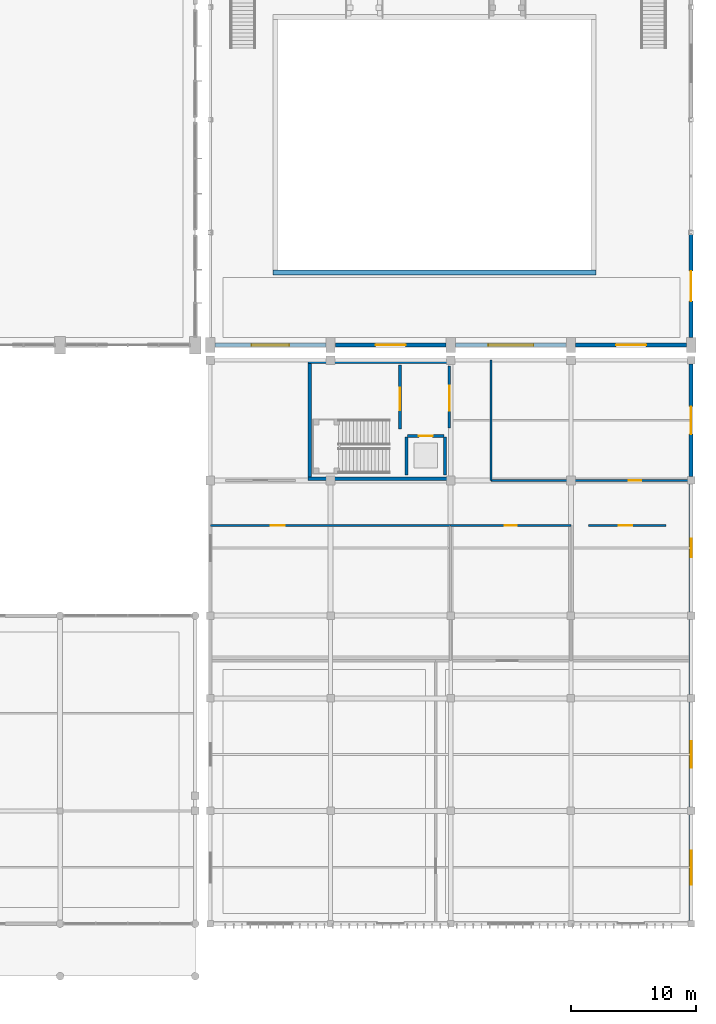
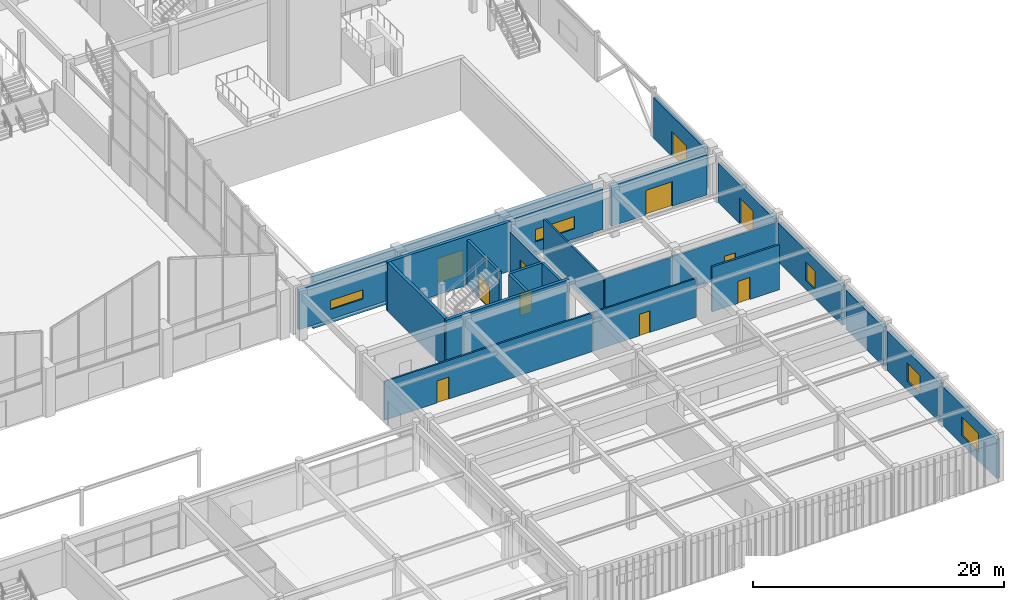
# One storey, part 58 of 82: 24 walls, 11 doors, 5 windows, 16 openings.
"""IFC4 building model written with IfcOpenShell, lengths in metres."""

from ifc_helpers import new_model, si_unit, direction, frame, frame_2d, origin, place, context, subcontext, project, spatial, rectangle, extrude, material, layer, layer_set, type_object, element, fill, save


model = new_model("IFC4")

# Units and contexts
model_context = context("Model", 3, precision=1e-05, world=origin(), true_north=direction((0.0, 1.0)))
body_context = subcontext(model_context, "Body", "Model", "MODEL_VIEW")
ifc_project = project(units=[si_unit("LENGTHUNIT", "METRE"), si_unit("AREAUNIT", "SQUARE_METRE"), si_unit("VOLUMEUNIT", "CUBIC_METRE"), si_unit("PLANEANGLEUNIT", "RADIAN"), si_unit("MASSUNIT", "GRAM", prefix="KILO")], contexts=[model_context])

# Site, building, storey
site_placement = place(None, origin())
site = spatial("IfcSite", under=ifc_project, at=site_placement, CompositionType="ELEMENT")
building_placement = place(site_placement, origin())
building = spatial("IfcBuilding", under=site, at=building_placement, Name="Suirenkawa Promenade Aquatics Centre", CompositionType="ELEMENT")
storey_placement = place(building_placement, origin())
storey = spatial("IfcBuildingStorey", under=building, at=storey_placement, Name="L00", CompositionType="ELEMENT", Elevation=0.0)

# Walls
ifc_material_1 = material(Name="Concrete M40", Category="concrete")
ifc_layer_1 = layer(ifc_material_1, 0.280029296875, Name="Concrete M40", Category="concrete")
ifc_layer_set_1 = layer_set([ifc_layer_1], Name="Concrete M40")
wall_type_1 = type_object("IfcWallType", Name="WT-CORE-280", PredefinedType="SHEAR", material=ifc_layer_set_1)
for number, where, z_axis, x_axis, name in (
    (1, (163.800048828125, 39.739990234375, 0.0), (0.0, 0.0, 1.0), (1.0, 0.0, 0.0), "C6 south core wall WL-CORE-02 W-0155"),
    (2, (163.800048828125, 49.06005859375, 0.0), (0.0, 0.0, 1.0), (1.0, 0.0, 0.0), "C6 north core wall WL-CORE-02 W-0156"),
):
    element("IfcWall", number, at=place(storey_placement, frame(where, z_axis=z_axis, x_axis=x_axis)), inside=storey, type_object=wall_type_1, Name=name, PredefinedType="SHEAR", context=body_context, shape_type="SweptSolid", body=[
        extrude(rectangle(XDim=11.39990234375, YDim=0.280029296875, at=frame_2d((5.699951171875, 0.0))), origin(), (0.0, 0.0, 1.0), 4.800048828125),
    ])
wall_1_placement = place(storey_placement, frame((163.93994140625, 39.8798828125, 0.0), z_axis=(0.0, 0.0, 1.0), x_axis=(0.0, 1.0, 0.0)))
element("IfcWall", 3, at=wall_1_placement, inside=storey, type_object=wall_type_1, Name="C6 west core wall WL-CORE-02 W-0157", PredefinedType="SHEAR", context=body_context, shape_type="SweptSolid", body=[
    extrude(rectangle(XDim=9.0400390625, YDim=0.280029296875, at=frame_2d((4.52001953125, 0.0))), origin(), (0.0, 0.0, 1.0), 4.800048828125),
])

# Wall, opening, window
ifc_layer_2 = layer(ifc_material_1, 0.31005859375, Name="Concrete M40", Category="concrete")
ifc_layer_set_2 = layer_set([ifc_layer_2], Name="Concrete M40")
wall_type_2 = type_object("IfcWallType", Name="WT-EXT-310", PredefinedType="SOLIDWALL", material=ifc_layer_set_2)
wall_2_placement = place(storey_placement, frame((165.219970703125, 50.39990234375, 0.0), z_axis=(0.0, 0.0, 1.0), x_axis=(-1.0, 0.0, 0.0)))
wall_2 = element("IfcWall", 4, at=wall_2_placement, inside=storey, type_object=wall_type_2, Name="Exterior wall WL-EXT-02 W-5025", PredefinedType="SOLIDWALL", context=body_context, shape_type="SweptSolid", body=[
    extrude(rectangle(XDim=8.840087890625, YDim=0.31005859375, at=frame_2d((4.419921875, 0.0))), origin(), (0.0, 0.0, 1.0), 3.93505859375),
])
opening_1_placement = place(wall_2_placement, frame((2.919921875, 0.0, 0.949951171875)))
opening_1 = element("IfcOpeningElement", 5, at=opening_1_placement, cuts=wall_2, Name="Opening WN-02", PredefinedType="OPENING", context=body_context, shape_type="SweptSolid", body=[
    extrude(rectangle(XDim=3.0, YDim=0.89990234375, at=frame_2d((1.5, 0.449951171875))), frame((0.0, 0.1650390625, 0.0), z_axis=(0.0, -1.0, 0.0), x_axis=(1.0, 0.0, 0.0)), (0.0, 0.0, 1.0), 0.330078125),
])
ifc_material_2 = material(Name="Low-E thermally broken double glazing", Category="glass")
window_type_1 = type_object("IfcWindowType", Name="WNT-RIB-3000x900", PartitioningType="SINGLE_PANEL", PredefinedType="WINDOW", material=ifc_material_2)
window_1_placement = place(opening_1_placement, origin())
window_1 = element("IfcWindow", 6, at=window_1_placement, inside=storey, type_object=window_type_1, Name="Window WN-02 WN-0002", OverallHeight=0.89990234375, OverallWidth=3.0, PartitioningType="SINGLE_PANEL", PredefinedType="WINDOW", context=body_context, shape_type="SweptSolid", body=[
    extrude(rectangle(XDim=3.0, YDim=0.89990234375, at=frame_2d((1.5, 0.449951171875))), frame((0.0, 0.030029296875, 0.0), z_axis=(0.0, -1.0, 0.0), x_axis=(1.0, 0.0, 0.0)), (0.0, 0.0, 1.0), 0.06005859375),
])
fill(opening_1, window_1)

# Wall, opening, door
wall_3_placement = place(storey_placement, frame((174.820068359375, 50.39990234375, 0.0), z_axis=(0.0, 0.0, 1.0), x_axis=(-1.0, 0.0, 0.0)))
wall_3 = element("IfcWall", 7, at=wall_3_placement, inside=storey, type_object=wall_type_2, Name="Exterior wall WL-EXT-02 W-5028", PredefinedType="SOLIDWALL", context=body_context, shape_type="SweptSolid", body=[
    extrude(rectangle(XDim=8.840087890625, YDim=0.31005859375, at=frame_2d((4.419921875, 0.0))), origin(), (0.0, 0.0, 1.0), 3.93505859375),
])
opening_2_placement = place(wall_3_placement, frame((3.219970703125, 0.0, 0.0)))
opening_2 = element("IfcOpeningElement", 8, at=opening_2_placement, cuts=wall_3, Name="Opening ED-04", PredefinedType="OPENING", context=body_context, shape_type="SweptSolid", body=[
    extrude(rectangle(XDim=2.39990234375, YDim=2.39990234375, at=frame_2d((1.199951171875, 1.199951171875))), frame((0.0, 0.1650390625, 0.0), z_axis=(0.0, -1.0, 0.0), x_axis=(1.0, 0.0, 0.0)), (0.0, 0.0, 1.0), 0.330078125),
])
ifc_material_3 = material(Name="Anodised aluminium 6063-T6", Category="aluminium")
door_type_1 = type_object("IfcDoorType", Name="DT-EXT-EXIT-2400x2400", OperationType="DOUBLE_DOOR_SINGLE_SWING", PredefinedType="DOOR", material=ifc_material_3)
door_1_placement = place(opening_2_placement, origin())
door_1 = element("IfcDoor", 9, at=door_1_placement, inside=storey, type_object=door_type_1, Name="Exterior door ED-04 DR-EXT-019", OperationType="DOUBLE_DOOR_SINGLE_SWING", OverallHeight=2.39990234375, OverallWidth=2.39990234375, PredefinedType="DOOR", context=body_context, shape_type="SweptSolid", body=[
    extrude(rectangle(XDim=2.39990234375, YDim=2.39990234375, at=frame_2d((1.199951171875, 1.199951171875))), frame((0.0, 0.02490234375, 0.0), z_axis=(0.0, -1.0, 0.0), x_axis=(1.0, 0.0, 0.0)), (0.0, 0.0, 1.0), 0.050048828125),
])
fill(opening_2, door_1)

# Wall, opening, window
wall_4_placement = place(storey_placement, frame((184.419921875, 50.39990234375, 0.0), z_axis=(0.0, 0.0, 1.0), x_axis=(-1.0, 0.0, 0.0)))
wall_4 = element("IfcWall", 10, at=wall_4_placement, inside=storey, type_object=wall_type_2, Name="Exterior wall WL-EXT-02 W-5030", PredefinedType="SOLIDWALL", context=body_context, shape_type="SweptSolid", body=[
    extrude(rectangle(XDim=8.83984375, YDim=0.31005859375, at=frame_2d((4.419921875, 0.0))), origin(), (0.0, 0.0, 1.0), 3.93505859375),
])
opening_3_placement = place(wall_4_placement, frame((2.6201171875, 0.0, 0.949951171875)))
opening_3 = element("IfcOpeningElement", 11, at=opening_3_placement, cuts=wall_4, Name="Opening WN-05", PredefinedType="OPENING", context=body_context, shape_type="SweptSolid", body=[
    extrude(rectangle(XDim=3.60009765625, YDim=1.199951171875, at=frame_2d((1.800048828125, 0.60009765625))), frame((0.0, 0.1650390625, 0.0), z_axis=(0.0, -1.0, 0.0), x_axis=(1.0, 0.0, 0.0)), (0.0, 0.0, 1.0), 0.330078125),
])
window_type_2 = type_object("IfcWindowType", Name="WNT-CLER-3600x1200", PartitioningType="SINGLE_PANEL", PredefinedType="WINDOW", material=ifc_material_2)
window_2_placement = place(opening_3_placement, origin())
window_2 = element("IfcWindow", 12, at=window_2_placement, inside=storey, type_object=window_type_2, Name="Window WN-05 WN-0005", OverallHeight=1.199951171875, OverallWidth=3.60009765625, PartitioningType="SINGLE_PANEL", PredefinedType="WINDOW", context=body_context, shape_type="SweptSolid", body=[
    extrude(rectangle(XDim=3.60009765625, YDim=1.199951171875, at=frame_2d((1.800048828125, 0.60009765625))), frame((0.0, 0.030029296875, 0.0), z_axis=(0.0, -1.0, 0.0), x_axis=(1.0, 0.0, 0.0)), (0.0, 0.0, 1.0), 0.06005859375),
])
fill(opening_3, window_2)

# Wall, opening, door
wall_5_placement = place(storey_placement, frame((194.02001953125, 50.39990234375, 0.0), z_axis=(0.0, 0.0, 1.0), x_axis=(-1.0, 0.0, 0.0)))
wall_5 = element("IfcWall", 13, at=wall_5_placement, inside=storey, type_object=wall_type_2, Name="Exterior wall WL-EXT-02 W-5033", PredefinedType="SOLIDWALL", context=body_context, shape_type="SweptSolid", body=[
    extrude(rectangle(XDim=8.840087890625, YDim=0.31005859375, at=frame_2d((4.419921875, 0.0))), origin(), (0.0, 0.0, 1.0), 3.93505859375),
])
opening_4_placement = place(wall_5_placement, frame((3.219970703125, 0.0, 0.0)))
opening_4 = element("IfcOpeningElement", 14, at=opening_4_placement, cuts=wall_5, Name="Opening ED-04", PredefinedType="OPENING", context=body_context, shape_type="SweptSolid", body=[
    extrude(rectangle(XDim=2.39990234375, YDim=2.39990234375, at=frame_2d((1.199951171875, 1.199951171875))), frame((0.0, 0.1650390625, 0.0), z_axis=(0.0, -1.0, 0.0), x_axis=(1.0, 0.0, 0.0)), (0.0, 0.0, 1.0), 0.330078125),
])
door_2_placement = place(opening_4_placement, origin())
door_2 = element("IfcDoor", 15, at=door_2_placement, inside=storey, type_object=door_type_1, Name="Exterior door ED-04 DR-EXT-021", OperationType="DOUBLE_DOOR_SINGLE_SWING", OverallHeight=2.39990234375, OverallWidth=2.39990234375, PredefinedType="DOOR", context=body_context, shape_type="SweptSolid", body=[
    extrude(rectangle(XDim=2.39990234375, YDim=2.39990234375, at=frame_2d((1.199951171875, 1.199951171875))), frame((0.0, 0.02490234375, 0.0), z_axis=(0.0, -1.0, 0.0), x_axis=(1.0, 0.0, 0.0)), (0.0, 0.0, 1.0), 0.050048828125),
])
fill(opening_4, door_2)

wall_6_placement = place(storey_placement, frame((194.39990234375, 59.219970703125, 0.0), z_axis=(0.0, 0.0, 1.0), x_axis=(0.0, -1.0, 0.0)))
wall_6 = element("IfcWall", 16, at=wall_6_placement, inside=storey, type_object=wall_type_2, Name="Exterior wall WL-EXT-02 W-5036", PredefinedType="SOLIDWALL", context=body_context, shape_type="SweptSolid", body=[
    extrude(rectangle(XDim=8.215087890625, YDim=0.31005859375, at=frame_2d((4.107421875, 0.0))), origin(), (0.0, 0.0, 1.0), 3.949951171875),
])
opening_5_placement = place(wall_6_placement, frame((2.906982421875, 0.0, 0.0)))
opening_5 = element("IfcOpeningElement", 17, at=opening_5_placement, cuts=wall_6, Name="Opening ED-04", PredefinedType="OPENING", context=body_context, shape_type="SweptSolid", body=[
    extrude(rectangle(XDim=2.39990234375, YDim=2.39990234375, at=frame_2d((1.199951171875, 1.199951171875))), frame((0.0, 0.1650390625, 0.0), z_axis=(0.0, -1.0, 0.0), x_axis=(1.0, 0.0, 0.0)), (0.0, 0.0, 1.0), 0.330078125),
])
door_3_placement = place(opening_5_placement, origin())
door_3 = element("IfcDoor", 18, at=door_3_placement, inside=storey, type_object=door_type_1, Name="Exterior door ED-04 DR-EXT-022", OperationType="DOUBLE_DOOR_SINGLE_SWING", OverallHeight=2.39990234375, OverallWidth=2.39990234375, PredefinedType="DOOR", context=body_context, shape_type="SweptSolid", body=[
    extrude(rectangle(XDim=2.39990234375, YDim=2.39990234375, at=frame_2d((1.199951171875, 1.199951171875))), frame((0.0, 0.02490234375, 0.0), z_axis=(0.0, -1.0, 0.0), x_axis=(1.0, 0.0, 0.0)), (0.0, 0.0, 1.0), 0.050048828125),
])
fill(opening_5, door_3)

# Wall, opening, window
wall_7_placement = place(storey_placement, frame((194.39990234375, 12.89501953125, 0.0), z_axis=(0.0, 0.0, 1.0), x_axis=(0.0, -1.0, 0.0)))
wall_7 = element("IfcWall", 19, at=wall_7_placement, inside=storey, type_object=wall_type_2, Name="Exterior wall WL-EXT-02 W-5062", PredefinedType="SOLIDWALL", context=body_context, shape_type="SweptSolid", body=[
    extrude(rectangle(XDim=8.43994140625, YDim=0.31005859375, at=frame_2d((4.219970703125, 0.0))), origin(), (0.0, 0.0, 1.0), 3.824951171875),
])
opening_6_placement = place(wall_7_placement, frame((2.8701171875, 0.0, 0.85009765625)))
opening_6 = element("IfcOpeningElement", 20, at=opening_6_placement, cuts=wall_7, Name="Opening WN-17", PredefinedType="OPENING", context=body_context, shape_type="SweptSolid", body=[
    extrude(rectangle(XDim=2.699951171875, YDim=1.800048828125, at=frame_2d((1.35009765625, 0.89990234375))), frame((0.0, 0.1650390625, 0.0), z_axis=(0.0, -1.0, 0.0), x_axis=(1.0, 0.0, 0.0)), (0.0, 0.0, 1.0), 0.330078125),
])
window_type_3 = type_object("IfcWindowType", Name="WNT-TALL-2700x1800", PartitioningType="SINGLE_PANEL", PredefinedType="WINDOW", material=ifc_material_2)
window_3_placement = place(opening_6_placement, origin())
window_3 = element("IfcWindow", 21, at=window_3_placement, inside=storey, type_object=window_type_3, Name="Window WN-17 WN-0019", OverallHeight=1.800048828125, OverallWidth=2.699951171875, PartitioningType="SINGLE_PANEL", PredefinedType="WINDOW", context=body_context, shape_type="SweptSolid", body=[
    extrude(rectangle(XDim=2.699951171875, YDim=1.800048828125, at=frame_2d((1.35009765625, 0.89990234375))), frame((0.0, 0.030029296875, 0.0), z_axis=(0.0, -1.0, 0.0), x_axis=(1.0, 0.0, 0.0)), (0.0, 0.0, 1.0), 0.06005859375),
])
fill(opening_6, window_3)

wall_8_placement = place(storey_placement, frame((194.39990234375, 21.89501953125, 0.0), z_axis=(0.0, 0.0, 1.0), x_axis=(0.0, -1.0, 0.0)))
wall_8 = element("IfcWall", 22, at=wall_8_placement, inside=storey, type_object=wall_type_2, Name="Exterior wall WL-EXT-02 W-5064", PredefinedType="SOLIDWALL", context=body_context, shape_type="SweptSolid", body=[
    extrude(rectangle(XDim=8.39013671875, YDim=0.31005859375, at=frame_2d((4.195068359375, 0.0))), origin(), (0.0, 0.0, 1.0), 3.824951171875),
])
opening_7_placement = place(wall_8_placement, frame((3.14501953125, 0.0, 0.85009765625)))
opening_7 = element("IfcOpeningElement", 23, at=opening_7_placement, cuts=wall_8, Name="Opening WN-19", PredefinedType="OPENING", context=body_context, shape_type="SweptSolid", body=[
    extrude(rectangle(XDim=2.10009765625, YDim=1.800048828125, at=frame_2d((1.050048828125, 0.89990234375))), frame((0.0, 0.1650390625, 0.0), z_axis=(0.0, -1.0, 0.0), x_axis=(1.0, 0.0, 0.0)), (0.0, 0.0, 1.0), 0.330078125),
])
window_type_4 = type_object("IfcWindowType", Name="WNT-TALL-2100x1800", PartitioningType="SINGLE_PANEL", PredefinedType="WINDOW", material=ifc_material_2)
window_4_placement = place(opening_7_placement, origin())
window_4 = element("IfcWindow", 24, at=window_4_placement, inside=storey, type_object=window_type_4, Name="Window WN-19 WN-0021", OverallHeight=1.800048828125, OverallWidth=2.10009765625, PartitioningType="SINGLE_PANEL", PredefinedType="WINDOW", context=body_context, shape_type="SweptSolid", body=[
    extrude(rectangle(XDim=2.10009765625, YDim=1.800048828125, at=frame_2d((1.050048828125, 0.89990234375))), frame((0.0, 0.030029296875, 0.0), z_axis=(0.0, -1.0, 0.0), x_axis=(1.0, 0.0, 0.0)), (0.0, 0.0, 1.0), 0.06005859375),
])
fill(opening_7, window_4)

# Wall
wall_9_placement = place(storey_placement, frame((194.39990234375, 28.4951171875, 0.0), z_axis=(0.0, 0.0, 1.0), x_axis=(0.0, -1.0, 0.0)))
element("IfcWall", 25, at=wall_9_placement, inside=storey, type_object=wall_type_2, Name="Exterior wall WL-EXT-02 W-5066", PredefinedType="SOLIDWALL", context=body_context, shape_type="SweptSolid", body=[
    extrude(rectangle(XDim=5.990234375, YDim=0.31005859375, at=frame_2d((2.9951171875, 0.0))), origin(), (0.0, 0.0, 1.0), 3.824951171875),
])

# Wall, opening, window
wall_10_placement = place(storey_placement, frame((194.39990234375, 39.294921875, 0.0), z_axis=(0.0, 0.0, 1.0), x_axis=(0.0, -1.0, 0.0)))
wall_10 = element("IfcWall", 26, at=wall_10_placement, inside=storey, type_object=wall_type_2, Name="Exterior wall WL-EXT-02 W-5068", PredefinedType="SOLIDWALL", context=body_context, shape_type="SweptSolid", body=[
    extrude(rectangle(XDim=10.18994140625, YDim=0.31005859375, at=frame_2d((5.094970703125, 0.0))), origin(), (0.0, 0.0, 1.0), 3.824951171875),
])
opening_8_placement = place(wall_10_placement, frame((4.344970703125, 0.0, 0.85009765625)))
opening_8 = element("IfcOpeningElement", 27, at=opening_8_placement, cuts=wall_10, Name="Opening WN-21", PredefinedType="OPENING", context=body_context, shape_type="SweptSolid", body=[
    extrude(rectangle(XDim=1.5, YDim=1.800048828125, at=frame_2d((0.75, 0.89990234375))), frame((0.0, 0.1650390625, 0.0), z_axis=(0.0, -1.0, 0.0), x_axis=(1.0, 0.0, 0.0)), (0.0, 0.0, 1.0), 0.330078125),
])
window_type_5 = type_object("IfcWindowType", Name="WNT-TALL-1500x1800", PartitioningType="SINGLE_PANEL", PredefinedType="WINDOW", material=ifc_material_2)
window_5_placement = place(opening_8_placement, origin())
window_5 = element("IfcWindow", 28, at=window_5_placement, inside=storey, type_object=window_type_5, Name="Window WN-21 WN-0023", OverallHeight=1.800048828125, OverallWidth=1.5, PartitioningType="SINGLE_PANEL", PredefinedType="WINDOW", context=body_context, shape_type="SweptSolid", body=[
    extrude(rectangle(XDim=1.5, YDim=1.800048828125, at=frame_2d((0.75, 0.89990234375))), frame((0.0, 0.030029296875, 0.0), z_axis=(0.0, -1.0, 0.0), x_axis=(1.0, 0.0, 0.0)), (0.0, 0.0, 1.0), 0.06005859375),
])
fill(opening_8, window_5)

# Wall, opening, door
wall_11_placement = place(storey_placement, frame((194.39990234375, 48.89501953125, 0.0), z_axis=(0.0, 0.0, 1.0), x_axis=(0.0, -1.0, 0.0)))
wall_11 = element("IfcWall", 29, at=wall_11_placement, inside=storey, type_object=wall_type_2, Name="Exterior wall WL-EXT-02 W-5070", PredefinedType="SOLIDWALL", context=body_context, shape_type="SweptSolid", body=[
    extrude(rectangle(XDim=8.989990234375, YDim=0.31005859375, at=frame_2d((4.4951171875, 0.0))), origin(), (0.0, 0.0, 1.0), 3.824951171875),
])
opening_9_placement = place(wall_11_placement, frame((3.39501953125, 0.0, 0.0)))
opening_9 = element("IfcOpeningElement", 30, at=opening_9_placement, cuts=wall_11, Name="Opening ED-11", PredefinedType="OPENING", context=body_context, shape_type="SweptSolid", body=[
    extrude(rectangle(XDim=2.199951171875, YDim=2.5, at=frame_2d((1.10009765625, 1.25))), frame((0.0, 0.1650390625, 0.0), z_axis=(0.0, -1.0, 0.0), x_axis=(1.0, 0.0, 0.0)), (0.0, 0.0, 1.0), 0.330078125),
])
door_type_2 = type_object("IfcDoorType", Name="DT-EXT-AMB-2200x2500", OperationType="DOUBLE_DOOR_SINGLE_SWING", PredefinedType="DOOR", material=ifc_material_3)
door_4_placement = place(opening_9_placement, origin())
door_4 = element("IfcDoor", 31, at=door_4_placement, inside=storey, type_object=door_type_2, Name="Exterior door ED-11 DR-EXT-039", OperationType="DOUBLE_DOOR_SINGLE_SWING", OverallHeight=2.5, OverallWidth=2.199951171875, PredefinedType="DOOR", context=body_context, shape_type="SweptSolid", body=[
    extrude(rectangle(XDim=2.199951171875, YDim=2.5, at=frame_2d((1.10009765625, 1.25))), frame((0.0, 0.02490234375, 0.0), z_axis=(0.0, -1.0, 0.0), x_axis=(1.0, 0.0, 0.0)), (0.0, 0.0, 1.0), 0.050048828125),
])
fill(opening_9, door_4)

ifc_material_4 = material(Name="Autoclaved aerated concrete blockwork Grade 1", Category="masonry")
ifc_layer_3 = layer(ifc_material_4, 0.179931640625, Name="Autoclaved aerated concrete blockwork Grade 1", Category="masonry")
ifc_layer_set_3 = layer_set([ifc_layer_3], Name="Autoclaved aerated concrete blockwork Grade 1")
wall_type_3 = type_object("IfcWallType", Name="WT-FIRE-180", PredefinedType="PARTITIONING", material=ifc_layer_set_3)
wall_12_placement = place(storey_placement, frame((186.199951171875, 36.0, 0.0), z_axis=(0.0, 0.0, 1.0), x_axis=(1.0, 0.0, 0.0)))
wall_12 = element("IfcWall", 32, at=wall_12_placement, inside=storey, type_object=wall_type_3, Name="Interior wall WL-PRT-02 W-7168", PredefinedType="PARTITIONING", context=body_context, shape_type="SweptSolid", body=[
    extrude(rectangle(XDim=6.199951171875, YDim=0.179931640625, at=frame_2d((3.10009765625, 0.0))), origin(), (0.0, 0.0, 1.0), 4.385009765625),
])
opening_10_placement = place(wall_12_placement, frame((2.39990234375, 0.0, 0.0)))
opening_10 = element("IfcOpeningElement", 33, at=opening_10_placement, cuts=wall_12, Name="Opening ID-06", PredefinedType="OPENING", context=body_context, shape_type="SweptSolid", body=[
    extrude(rectangle(XDim=1.10009765625, YDim=2.14990234375, at=frame_2d((0.550048828125, 1.074951171875))), frame((0.0, 0.099853515625, 0.0), z_axis=(0.0, -1.0, 0.0), x_axis=(1.0, 0.0, 0.0)), (0.0, 0.0, 1.0), 0.199951171875),
])
ifc_material_5 = material(Name="Engineered maple acoustic sports timber", Category="wood")
door_type_3 = type_object("IfcDoorType", Name="DT-FD60-1100x2150", OperationType="NOTDEFINED", PredefinedType="DOOR", material=ifc_material_5)
door_5_placement = place(opening_10_placement, origin())
door_5 = element("IfcDoor", 34, at=door_5_placement, inside=storey, type_object=door_type_3, Name="Interior door ID-06 DR-INT-0105", OperationType="SINGLE_SWING_LEFT", OverallHeight=2.14990234375, OverallWidth=1.10009765625, PredefinedType="DOOR", context=body_context, shape_type="SweptSolid", body=[
    extrude(rectangle(XDim=1.10009765625, YDim=2.14990234375, at=frame_2d((0.550048828125, 1.074951171875))), frame((0.0, 0.02490234375, 0.0), z_axis=(0.0, -1.0, 0.0), x_axis=(1.0, 0.0, 0.0)), (0.0, 0.0, 1.0), 0.050048828125),
])
fill(opening_10, door_5)

ifc_material_6 = material(Name="Concrete M35", Category="concrete")
ifc_layer_4 = layer(ifc_material_6, 0.219970703125, Name="Concrete M35", Category="concrete")
ifc_layer_set_4 = layer_set([ifc_layer_4], Name="Concrete M35")
wall_type_4 = type_object("IfcWallType", Name="WT-LOBBY-220", PredefinedType="PARTITIONING", material=ifc_layer_set_4)
wall_13_placement = place(storey_placement, frame((171.14990234375, 43.699951171875, 0.0), z_axis=(0.0, 0.0, 1.0), x_axis=(0.0, 1.0, 0.0)))
wall_13 = element("IfcWall", 35, at=wall_13_placement, inside=storey, type_object=wall_type_4, Name="Interior wall WL-LOB-01 W-7131", PredefinedType="PARTITIONING", context=body_context, shape_type="SweptSolid", body=[
    extrude(rectangle(XDim=5.10009765625, YDim=0.219970703125, at=frame_2d((2.550048828125, 0.0))), origin(), (0.0, 0.0, 1.0), 4.5048828125),
])
opening_11_placement = place(wall_13_placement, frame((1.5, 0.0, 0.0)))
opening_11 = element("IfcOpeningElement", 36, at=opening_11_placement, cuts=wall_13, Name="Opening ID-02", PredefinedType="OPENING", context=body_context, shape_type="SweptSolid", body=[
    extrude(rectangle(XDim=1.800048828125, YDim=2.199951171875, at=frame_2d((0.89990234375, 1.10009765625))), frame((0.0, 0.119873046875, 0.0), z_axis=(0.0, -1.0, 0.0), x_axis=(1.0, 0.0, 0.0)), (0.0, 0.0, 1.0), 0.239990234375),
])
ifc_material_7 = material(Name="Steel IS 2062 E350 (Grade 350)", Category="steel")
door_type_4 = type_object("IfcDoorType", Name="DT-FD120-1800x2200", OperationType="DOUBLE_DOOR_SINGLE_SWING", PredefinedType="DOOR", material=ifc_material_7)
door_6_placement = place(opening_11_placement, origin())
door_6 = element("IfcDoor", 37, at=door_6_placement, inside=storey, type_object=door_type_4, Name="Interior door ID-02 DR-INT-0085", OperationType="DOUBLE_DOOR_SINGLE_SWING", OverallHeight=2.199951171875, OverallWidth=1.800048828125, PredefinedType="DOOR", context=body_context, shape_type="SweptSolid", body=[
    extrude(rectangle(XDim=1.800048828125, YDim=2.199951171875, at=frame_2d((0.89990234375, 1.10009765625))), frame((0.0, 0.02490234375, 0.0), z_axis=(0.0, -1.0, 0.0), x_axis=(1.0, 0.0, 0.0)), (0.0, 0.0, 1.0), 0.050048828125),
])
fill(opening_11, door_6)

wall_14_placement = place(storey_placement, frame((175.090087890625, 43.800048828125, 0.0), z_axis=(0.0, 0.0, 1.0), x_axis=(0.0, 1.0, 0.0)))
wall_14 = element("IfcWall", 38, at=wall_14_placement, inside=storey, type_object=wall_type_4, Name="Interior wall WL-LOB-01 W-7135", PredefinedType="PARTITIONING", context=body_context, shape_type="SweptSolid", body=[
    extrude(rectangle(XDim=4.949951171875, YDim=0.219970703125, at=frame_2d((2.47509765625, 0.0))), origin(), (0.0, 0.0, 1.0), 3.925048828125),
])
opening_12_placement = place(wall_14_placement, frame((1.35009765625, 0.0, 0.0)))
opening_12 = element("IfcOpeningElement", 39, at=opening_12_placement, cuts=wall_14, Name="Opening ID-01", PredefinedType="OPENING", context=body_context, shape_type="SweptSolid", body=[
    extrude(rectangle(XDim=2.0, YDim=2.199951171875, at=frame_2d((1.0, 1.10009765625))), frame((0.0, 0.119873046875, 0.0), z_axis=(0.0, -1.0, 0.0), x_axis=(1.0, 0.0, 0.0)), (0.0, 0.0, 1.0), 0.239990234375),
])
door_type_5 = type_object("IfcDoorType", Name="DT-FD120-2000x2200", OperationType="DOUBLE_DOOR_SINGLE_SWING", PredefinedType="DOOR", material=ifc_material_7)
door_7_placement = place(opening_12_placement, origin())
door_7 = element("IfcDoor", 40, at=door_7_placement, inside=storey, type_object=door_type_5, Name="Interior door ID-01 DR-INT-0087", OperationType="DOUBLE_DOOR_SINGLE_SWING", OverallHeight=2.199951171875, OverallWidth=2.0, PredefinedType="DOOR", context=body_context, shape_type="SweptSolid", body=[
    extrude(rectangle(XDim=2.0, YDim=2.199951171875, at=frame_2d((1.0, 1.10009765625))), frame((0.0, 0.02490234375, 0.0), z_axis=(0.0, -1.0, 0.0), x_axis=(1.0, 0.0, 0.0)), (0.0, 0.0, 1.0), 0.050048828125),
])
fill(opening_12, door_7)

ifc_layer_5 = layer(ifc_material_1, 0.239990234375, Name="Concrete M40", Category="concrete")
ifc_layer_set_5 = layer_set([ifc_layer_5], Name="Concrete M40")
wall_type_5 = type_object("IfcWallType", Name="WT-SHAFT-240", PredefinedType="SOLIDWALL", material=ifc_layer_set_5)
wall_15_placement = place(storey_placement, frame((171.75, 43.14990234375, 0.0), z_axis=(0.0, 0.0, 1.0), x_axis=(1.0, 0.0, 0.0)))
wall_15 = element("IfcWall", 41, at=wall_15_placement, inside=storey, type_object=wall_type_5, Name="Interior wall WL-SHF-01 W-7132", PredefinedType="SOLIDWALL", context=body_context, shape_type="SweptSolid", body=[
    extrude(rectangle(XDim=2.89990234375, YDim=0.239990234375, at=frame_2d((1.449951171875, 0.0))), origin(), (0.0, 0.0, 1.0), 4.5048828125),
])
opening_13_placement = place(wall_15_placement, frame((0.89990234375, 0.0, 0.0)))
opening_13 = element("IfcOpeningElement", 42, at=opening_13_placement, cuts=wall_15, Name="Opening LD-01", PredefinedType="OPENING", context=body_context, shape_type="SweptSolid", body=[
    extrude(rectangle(XDim=1.10009765625, YDim=2.14990234375, at=frame_2d((0.550048828125, 1.074951171875))), frame((0.0, 0.1298828125, 0.0), z_axis=(0.0, -1.0, 0.0), x_axis=(1.0, 0.0, 0.0)), (0.0, 0.0, 1.0), 0.260009765625),
])
ifc_material_8 = material(Name="Marine-grade stainless steel Grade 316L", Category="steel")
door_type_6 = type_object("IfcDoorType", Name="DT-LIFT-1100x2150", OperationType="DOUBLE_DOOR_SLIDING", PredefinedType="DOOR", material=ifc_material_8)
door_8_placement = place(opening_13_placement, origin())
door_8 = element("IfcDoor", 43, at=door_8_placement, inside=storey, type_object=door_type_6, Name="Landing door LD-01 DR-INT-0086", OperationType="DOUBLE_DOOR_SLIDING", OverallHeight=2.14990234375, OverallWidth=1.10009765625, PredefinedType="DOOR", context=body_context, shape_type="SweptSolid", body=[
    extrude(rectangle(XDim=1.10009765625, YDim=2.14990234375, at=frame_2d((0.550048828125, 1.074951171875))), frame((0.0, 0.02490234375, 0.0), z_axis=(0.0, -1.0, 0.0), x_axis=(1.0, 0.0, 0.0)), (0.0, 0.0, 1.0), 0.050048828125),
])
fill(opening_13, door_8)

# Walls
for number, where, z_axis, x_axis, name in (
    (44, (171.64990234375, 40.050048828125, 0.0), (0.0, 0.0, 1.0), (0.0, 1.0, 0.0), "Interior wall WL-SHF-01 W-7133"),
    (45, (174.75, 40.050048828125, 0.0), (0.0, 0.0, 1.0), (0.0, 1.0, 0.0), "Interior wall WL-SHF-01 W-7134"),
):
    element("IfcWall", number, at=place(storey_placement, frame(where, z_axis=z_axis, x_axis=x_axis)), inside=storey, type_object=wall_type_5, Name=name, PredefinedType="SOLIDWALL", context=body_context, shape_type="SweptSolid", body=[
        extrude(rectangle(XDim=3.0, YDim=0.239990234375, at=frame_2d((1.5, 0.0))), origin(), (0.0, 0.0, 1.0), 4.5048828125),
    ])

# Wall, opening, door
ifc_material_9 = material(Name="Moisture-resistant acoustic gypsum board")
ifc_layer_6 = layer(ifc_material_9, 0.139892578125, Name="Moisture-resistant acoustic gypsum board")
ifc_layer_set_6 = layer_set([ifc_layer_6], Name="Moisture-resistant acoustic gypsum board")
wall_type_6 = type_object("IfcWallType", Name="WT-STD-140", PredefinedType="PARTITIONING", material=ifc_layer_set_6)
wall_16_placement = place(storey_placement, frame((175.199951171875, 36.0, 0.0), z_axis=(0.0, 0.0, 1.0), x_axis=(1.0, 0.0, 0.0)))
wall_16 = element("IfcWall", 46, at=wall_16_placement, inside=storey, type_object=wall_type_6, Name="Interior wall WL-PRT-04 W-7363", PredefinedType="PARTITIONING", context=body_context, shape_type="SweptSolid", body=[
    extrude(rectangle(XDim=9.60009765625, YDim=0.139892578125, at=frame_2d((4.800048828125, 0.0))), origin(), (0.0, 0.0, 1.0), 3.77490234375),
])
opening_14_placement = place(wall_16_placement, frame((4.324951171875, 0.0, 0.0)))
opening_14 = element("IfcOpeningElement", 47, at=opening_14_placement, cuts=wall_16, Name="Opening ID-11", PredefinedType="OPENING", context=body_context, shape_type="SweptSolid", body=[
    extrude(rectangle(XDim=0.949951171875, YDim=2.10009765625, at=frame_2d((0.47509765625, 1.050048828125))), frame((0.0, 0.079833984375, 0.0), z_axis=(0.0, -1.0, 0.0), x_axis=(1.0, 0.0, 0.0)), (0.0, 0.0, 1.0), 0.159912109375),
])
door_type_7 = type_object("IfcDoorType", Name="DT-STD-950x2100", OperationType="NOTDEFINED", PredefinedType="DOOR", material=ifc_material_5)
door_9_placement = place(opening_14_placement, origin())
door_9 = element("IfcDoor", 48, at=door_9_placement, inside=storey, type_object=door_type_7, Name="Interior door ID-11 DR-INT-0213", OperationType="SINGLE_SWING_RIGHT", OverallHeight=2.10009765625, OverallWidth=0.949951171875, PredefinedType="DOOR", context=body_context, shape_type="SweptSolid", body=[
    extrude(rectangle(XDim=0.949951171875, YDim=2.10009765625, at=frame_2d((0.47509765625, 1.050048828125))), frame((0.0, 0.02490234375, 0.0), z_axis=(0.0, -1.0, 0.0), x_axis=(1.0, 0.0, 0.0)), (0.0, 0.0, 1.0), 0.050048828125),
])
fill(opening_14, door_9)

# Wall
ifc_material_10 = material(Name="Waterproof concrete M40", Category="concrete")
ifc_layer_7 = layer(ifc_material_10, 0.39990234375, Name="Waterproof concrete M40", Category="concrete")
ifc_layer_set_7 = layer_set([ifc_layer_7], Name="Waterproof concrete M40")
wall_type_7 = type_object("IfcWallType", Name="WT-TANK-400", PredefinedType="USERDEFINED", material=ifc_layer_set_7)
wall_17_placement = place(storey_placement, frame((161.0, 56.199951171875, -5.0), z_axis=(0.0, 0.0, 1.0), x_axis=(1.0, 0.0, 0.0)))
element("IfcWall", 49, at=wall_17_placement, inside=storey, type_object=wall_type_7, Name="25m Diving Well south tank wall WL-RET-02 W-0029", ObjectType="RETAININGWALL", PredefinedType="USERDEFINED", context=body_context, shape_type="SweptSolid", body=[
    extrude(rectangle(XDim=25.800048828125, YDim=0.39990234375, at=frame_2d((12.89990234375, 0.0))), origin(), (0.0, 0.0, 1.0), 5.080078125),
])

# Wall, opening, door
ifc_layer_8 = layer(ifc_material_4, 0.159912109375, Name="Autoclaved aerated concrete blockwork Grade 1", Category="masonry")
ifc_layer_set_8 = layer_set([ifc_layer_8], Name="Autoclaved aerated concrete blockwork Grade 1")
wall_type_8 = type_object("IfcWallType", Name="WT-WET-160", PredefinedType="PARTITIONING", material=ifc_layer_set_8)
wall_18_placement = place(storey_placement, frame((156.0, 36.0, 0.0), z_axis=(0.0, 0.0, 1.0), x_axis=(1.0, 0.0, 0.0)))
wall_18 = element("IfcWall", 50, at=wall_18_placement, inside=storey, type_object=wall_type_8, Name="Interior wall WL-PRT-03 W-7361", PredefinedType="PARTITIONING", context=body_context, shape_type="SweptSolid", body=[
    extrude(rectangle(XDim=19.199951171875, YDim=0.159912109375, at=frame_2d((9.60009765625, 0.0))), origin(), (0.0, 0.0, 1.0), 3.77490234375),
])
opening_15_placement = place(wall_18_placement, frame((4.825927734375, 0.0, 0.0)))
opening_15 = element("IfcOpeningElement", 51, at=opening_15_placement, cuts=wall_18, Name="Opening ID-06", PredefinedType="OPENING", context=body_context, shape_type="SweptSolid", body=[
    extrude(rectangle(XDim=1.10009765625, YDim=2.14990234375, at=frame_2d((0.550048828125, 1.074951171875))), frame((0.0, 0.08984375, 0.0), z_axis=(0.0, -1.0, 0.0), x_axis=(1.0, 0.0, 0.0)), (0.0, 0.0, 1.0), 0.179931640625),
])
door_10_placement = place(opening_15_placement, origin())
door_10 = element("IfcDoor", 52, at=door_10_placement, inside=storey, type_object=door_type_3, Name="Interior door ID-06 DR-INT-0212", OperationType="SINGLE_SWING_LEFT", OverallHeight=2.14990234375, OverallWidth=1.10009765625, PredefinedType="DOOR", context=body_context, shape_type="SweptSolid", body=[
    extrude(rectangle(XDim=1.10009765625, YDim=2.14990234375, at=frame_2d((0.550048828125, 1.074951171875))), frame((0.0, 0.02490234375, 0.0), z_axis=(0.0, -1.0, 0.0), x_axis=(1.0, 0.0, 0.0)), (0.0, 0.0, 1.0), 0.050048828125),
])
fill(opening_15, door_10)

wall_19_placement = place(storey_placement, frame((178.39990234375, 39.60009765625, 0.0), z_axis=(0.0, 0.0, 1.0), x_axis=(1.0, 0.0, 0.0)))
wall_19 = element("IfcWall", 53, at=wall_19_placement, inside=storey, type_object=wall_type_8, Name="Interior wall WL-PRT-03 W-7365", PredefinedType="PARTITIONING", context=body_context, shape_type="SweptSolid", body=[
    extrude(rectangle(XDim=16.0, YDim=0.159912109375, at=frame_2d((8.0, 0.0))), origin(), (0.0, 0.0, 1.0), 3.77490234375),
])
opening_16_placement = place(wall_19_placement, frame((11.02001953125, 0.0, 0.0)))
opening_16 = element("IfcOpeningElement", 54, at=opening_16_placement, cuts=wall_19, Name="Opening ID-07", PredefinedType="OPENING", context=body_context, shape_type="SweptSolid", body=[
    extrude(rectangle(XDim=1.0, YDim=2.10009765625, at=frame_2d((0.5, 1.050048828125))), frame((0.0, 0.08984375, 0.0), z_axis=(0.0, -1.0, 0.0), x_axis=(1.0, 0.0, 0.0)), (0.0, 0.0, 1.0), 0.179931640625),
])
door_type_8 = type_object("IfcDoorType", Name="DT-FD60-1000x2100", OperationType="NOTDEFINED", PredefinedType="DOOR", material=ifc_material_5)
door_11_placement = place(opening_16_placement, origin())
door_11 = element("IfcDoor", 55, at=door_11_placement, inside=storey, type_object=door_type_8, Name="Interior door ID-07 DR-INT-0214", OperationType="SINGLE_SWING_LEFT", OverallHeight=2.10009765625, OverallWidth=1.0, PredefinedType="DOOR", context=body_context, shape_type="SweptSolid", body=[
    extrude(rectangle(XDim=1.0, YDim=2.10009765625, at=frame_2d((0.5, 1.050048828125))), frame((0.0, 0.02490234375, 0.0), z_axis=(0.0, -1.0, 0.0), x_axis=(1.0, 0.0, 0.0)), (0.0, 0.0, 1.0), 0.050048828125),
])
fill(opening_16, door_11)

# Wall
wall_20_placement = place(storey_placement, frame((178.39990234375, 39.60009765625, 0.0), z_axis=(0.0, 0.0, 1.0), x_axis=(0.0, 1.0, 0.0)))
element("IfcWall", 56, at=wall_20_placement, inside=storey, type_object=wall_type_8, Name="Interior wall WL-PRT-03 W-7366", PredefinedType="PARTITIONING", context=body_context, shape_type="SweptSolid", body=[
    extrude(rectangle(XDim=9.599853515625, YDim=0.159912109375, at=frame_2d((4.7998046875, 0.0))), origin(), (0.0, 0.0, 1.0), 3.824951171875),
])

save(model, "model.ifc")
